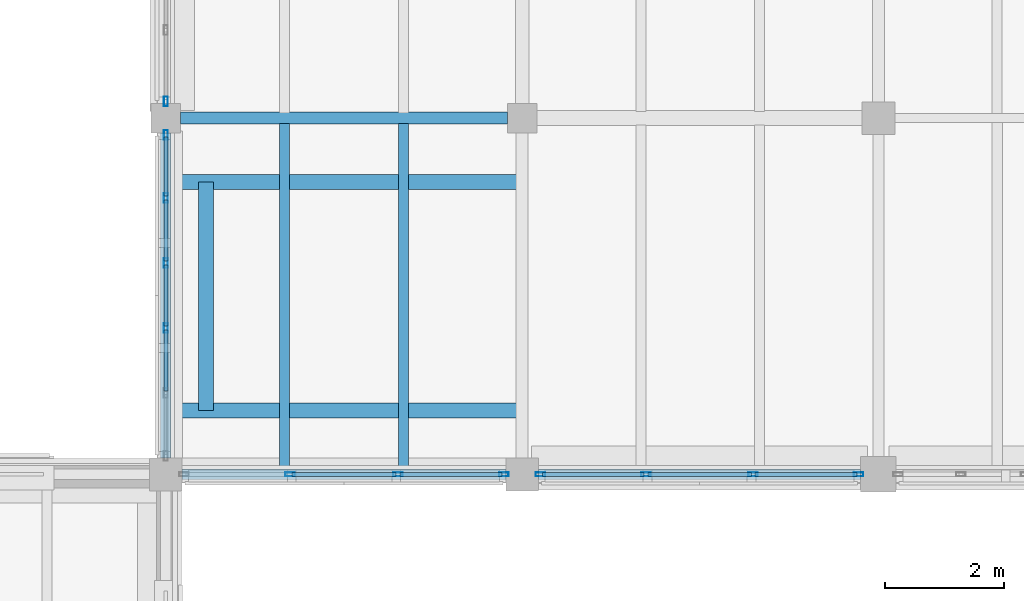
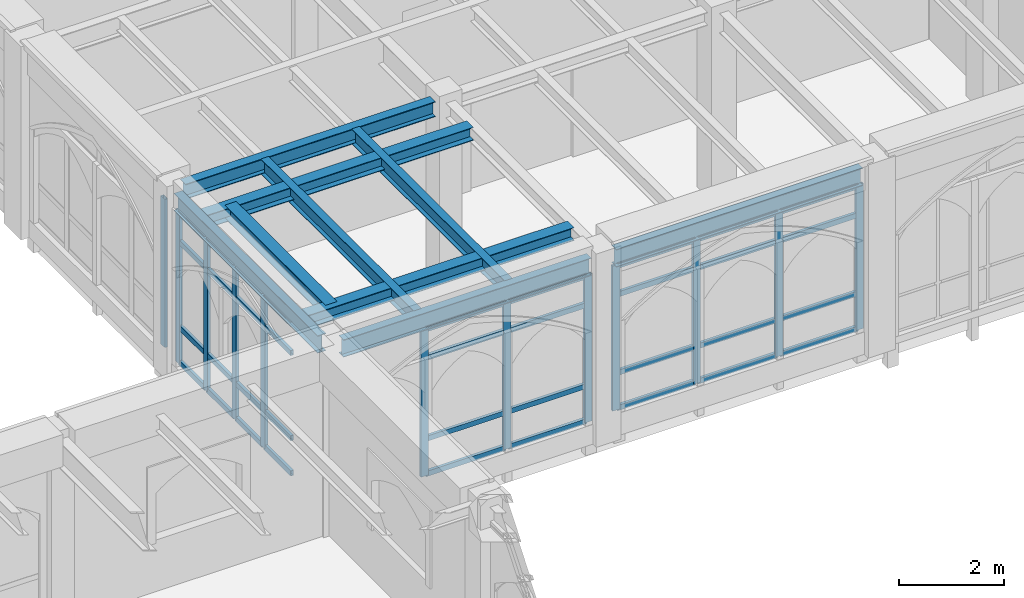
# One storey, part 21 of 143: 48 members, 9 beams, 4 elements without a shape of their own.
"""IFC4 building model written with IfcOpenShell, lengths in metres."""

from ifc_helpers import new_model, si_unit, direction, frame, origin, origin_2d, place, context, subcontext, project, spatial, hollow_rectangle, i_section, extrude, material, layer, layer_set, material_profile, profile_set, type_object, element, aggregate, save


model = new_model("IFC4")

# Units and contexts
model_context = context("Model", 3, precision=1e-05, world=origin(), true_north=direction((0.0, 1.0)))
body_context = subcontext(model_context, "Body", "Model", "MODEL_VIEW")
ifc_project = project(units=[si_unit("LENGTHUNIT", "METRE"), si_unit("AREAUNIT", "SQUARE_METRE"), si_unit("VOLUMEUNIT", "CUBIC_METRE"), si_unit("PLANEANGLEUNIT", "RADIAN"), si_unit("MASSUNIT", "GRAM", prefix="KILO")], contexts=[model_context])

# Site, building, storey
site_placement = place(None, origin())
site = spatial("IfcSite", under=ifc_project, at=site_placement, CompositionType="ELEMENT")
building_placement = place(site_placement, origin())
building = spatial("IfcBuilding", under=site, at=building_placement, Name="Cumevento Cable Car Station", CompositionType="ELEMENT")
storey_placement = place(building_placement, frame((0.0, 0.0, 9.0)))
storey = spatial("IfcBuildingStorey", under=building, at=storey_placement, Name="L03", CompositionType="ELEMENT", Elevation=9.0)

# Curtain wall, members
ifc_material_1 = material(Name="Anodised Bronze Aluminium AW-6063-T6", Category="aluminium")
ifc_layer_1 = layer(ifc_material_1, 0.243896484375)
ifc_layer_set_1 = layer_set([ifc_layer_1], Name="Anodised Bronze Aluminium AW-6063-T6")
curtain_wall_type_1 = type_object("IfcCurtainWallType", Name="Lancet Curtain Wall CW-15 1610", PredefinedType="NOTDEFINED", material=ifc_layer_set_1)
curtain_wall_1_placement = place(storey_placement, origin())
curtain_wall_1 = element("IfcCurtainWall", 1, at=curtain_wall_1_placement, inside=storey, type_object=curtain_wall_type_1, Name="Lancet Curtain Wall CW-15 L03 #94", PredefinedType="NOTDEFINED")
ifc_material_2 = material(Name="Anodised Bronze Aluminium AW-6063-T6", Category="aluminium")
ifc_material_profile_1 = material_profile(ifc_material_2, hollow_rectangle(XDim=0.06494140625, YDim=0.159912109375, WallThickness=0.00390625, at=origin_2d()), Name="ALUM65x160x4")
ifc_profile_set_1 = profile_set([ifc_material_profile_1], Name="Anodised Bronze Aluminium AW-6063-T6")
member_type_1 = type_object("IfcMemberType", Name="Curtain Mullion CWM-01 ALUM65x160x4", PredefinedType="MULLION", material=ifc_profile_set_1)
member_1_placement = place(storey_placement, frame((27.6923828125, 45.0, 0.4599609375), z_axis=(0.0, 0.0, 1.0), x_axis=(0.0, -1.0, 0.0)))
member_1 = element("IfcMember", 2, at=member_1_placement, type_object=member_type_1, Name="CW-15 mullion 1", PredefinedType="MULLION", context=body_context, shape_type="SweptSolid", body=[
    extrude(hollow_rectangle(XDim=0.06494140625, YDim=0.159912109375, WallThickness=0.00390625, at=origin_2d()), origin(), (0.0, 0.0, 1.0), 3.43310546875),
])
member_2_placement = place(storey_placement, frame((25.908447265625, 45.0, 0.4599609375), z_axis=(0.0, 0.0, 1.0), x_axis=(0.0, -1.0, 0.0)))
member_2 = element("IfcMember", 3, at=member_2_placement, type_object=member_type_1, Name="CW-15 mullion 2", PredefinedType="MULLION", context=body_context, shape_type="SweptSolid", body=[
    extrude(hollow_rectangle(XDim=0.06494140625, YDim=0.159912109375, WallThickness=0.00390625, at=origin_2d()), origin(), (0.0, 0.0, 1.0), 3.43310546875),
])
member_3_placement = place(storey_placement, frame((24.091552734375, 45.0, 0.4599609375), z_axis=(0.0, 0.0, 1.0), x_axis=(0.0, -1.0, 0.0)))
member_3 = element("IfcMember", 4, at=member_3_placement, type_object=member_type_1, Name="CW-15 mullion 3", PredefinedType="MULLION", context=body_context, shape_type="SweptSolid", body=[
    extrude(hollow_rectangle(XDim=0.06494140625, YDim=0.159912109375, WallThickness=0.00390625, at=origin_2d()), origin(), (0.0, 0.0, 1.0), 3.43310546875),
])

ifc_material_3 = material(Name="Anodised Bronze Aluminium AW-6063-T6", Category="aluminium")
ifc_layer_2 = layer(ifc_material_3, 0.25)
ifc_layer_set_2 = layer_set([ifc_layer_2], Name="Anodised Bronze Aluminium AW-6063-T6")
curtain_wall_type_2 = type_object("IfcCurtainWallType", Name="Lancet Curtain Wall CW-16 1650", PredefinedType="NOTDEFINED", material=ifc_layer_set_2)
curtain_wall_2_placement = place(storey_placement, origin())
curtain_wall_2 = element("IfcCurtainWall", 5, at=curtain_wall_2_placement, inside=storey, type_object=curtain_wall_type_2, Name="Lancet Curtain Wall CW-16 L03 #95", PredefinedType="NOTDEFINED")
member_4_placement = place(storey_placement, frame((33.66748046875, 45.0, 0.52001953125), z_axis=(0.0, 0.0, 1.0), x_axis=(0.0, -1.0, 0.0)))
member_4 = element("IfcMember", 6, at=member_4_placement, type_object=member_type_1, Name="CW-16 mullion 1", PredefinedType="MULLION", context=body_context, shape_type="SweptSolid", body=[
    extrude(hollow_rectangle(XDim=0.06494140625, YDim=0.159912109375, WallThickness=0.00390625, at=origin_2d()), origin(), (0.0, 0.0, 1.0), 3.373046875),
])
member_5_placement = place(storey_placement, frame((31.8916015625, 45.0, 0.52001953125), z_axis=(0.0, 0.0, 1.0), x_axis=(0.0, -1.0, 0.0)))
member_5 = element("IfcMember", 7, at=member_5_placement, type_object=member_type_1, Name="CW-16 mullion 2", PredefinedType="MULLION", context=body_context, shape_type="SweptSolid", body=[
    extrude(hollow_rectangle(XDim=0.06494140625, YDim=0.159912109375, WallThickness=0.00390625, at=origin_2d()), origin(), (0.0, 0.0, 1.0), 3.373046875),
])
member_6_placement = place(storey_placement, frame((30.083251953125, 45.0, 0.52001953125), z_axis=(0.0, 0.0, 1.0), x_axis=(0.0, -1.0, 0.0)))
member_6 = element("IfcMember", 8, at=member_6_placement, type_object=member_type_1, Name="CW-16 mullion 3", PredefinedType="MULLION", context=body_context, shape_type="SweptSolid", body=[
    extrude(hollow_rectangle(XDim=0.06494140625, YDim=0.159912109375, WallThickness=0.00390625, at=origin_2d()), origin(), (0.0, 0.0, 1.0), 3.373046875),
])
member_7_placement = place(storey_placement, frame((28.3076171875, 45.0, 0.52001953125), z_axis=(0.0, 0.0, 1.0), x_axis=(0.0, -1.0, 0.0)))
member_7 = element("IfcMember", 9, at=member_7_placement, type_object=member_type_1, Name="CW-16 mullion 4", PredefinedType="MULLION", context=body_context, shape_type="SweptSolid", body=[
    extrude(hollow_rectangle(XDim=0.06494140625, YDim=0.159912109375, WallThickness=0.00390625, at=origin_2d()), origin(), (0.0, 0.0, 1.0), 3.373046875),
])

ifc_material_4 = material(Name="Anodised Bronze Aluminium AW-6063-T6", Category="aluminium")
ifc_layer_3 = layer(ifc_material_4, 0.18408203125)
ifc_layer_set_3 = layer_set([ifc_layer_3], Name="Anodised Bronze Aluminium AW-6063-T6")
curtain_wall_type_3 = type_object("IfcCurtainWallType", Name="Lancet Curtain Wall CW-05 1210", PredefinedType="NOTDEFINED", material=ifc_layer_set_3)
curtain_wall_3_placement = place(storey_placement, origin())
curtain_wall_3 = element("IfcCurtainWall", 10, at=curtain_wall_3_placement, inside=storey, type_object=curtain_wall_type_3, Name="Lancet Curtain Wall CW-05 L03 #100", PredefinedType="NOTDEFINED")
member_8_placement = place(storey_placement, frame((22.0, 47.465087890625, 0.360107421875), z_axis=(0.0, 0.0, 1.0), x_axis=(-1.0, 0.0, 0.0)))
member_8 = element("IfcMember", 11, at=member_8_placement, type_object=member_type_1, Name="CW-05 mullion 3", PredefinedType="MULLION", context=body_context, shape_type="SweptSolid", body=[
    extrude(hollow_rectangle(XDim=0.06494140625, YDim=0.159912109375, WallThickness=0.00390625, at=origin_2d()), origin(), (0.0, 0.0, 1.0), 3.532958984375),
])
member_9_placement = place(storey_placement, frame((22.0, 48.56005859375, 0.360107421875), z_axis=(0.0, 0.0, 1.0), x_axis=(-1.0, 0.0, 0.0)))
member_9 = element("IfcMember", 12, at=member_9_placement, type_object=member_type_1, Name="CW-05 mullion 4", PredefinedType="MULLION", context=body_context, shape_type="SweptSolid", body=[
    extrude(hollow_rectangle(XDim=0.06494140625, YDim=0.159912109375, WallThickness=0.00390625, at=origin_2d()), origin(), (0.0, 0.0, 1.0), 3.532958984375),
])
member_10_placement = place(storey_placement, frame((22.0, 49.655029296875, 0.360107421875), z_axis=(0.0, 0.0, 1.0), x_axis=(-1.0, 0.0, 0.0)))
member_10 = element("IfcMember", 13, at=member_10_placement, type_object=member_type_1, Name="CW-05 mullion 5", PredefinedType="MULLION", context=body_context, shape_type="SweptSolid", body=[
    extrude(hollow_rectangle(XDim=0.06494140625, YDim=0.159912109375, WallThickness=0.00390625, at=origin_2d()), origin(), (0.0, 0.0, 1.0), 3.532958984375),
])
member_11_placement = place(storey_placement, frame((22.0, 50.717529296875, 0.360107421875), z_axis=(0.0, 0.0, 1.0), x_axis=(-1.0, 0.0, 0.0)))
member_11 = element("IfcMember", 14, at=member_11_placement, type_object=member_type_1, Name="CW-05 mullion 6", PredefinedType="MULLION", context=body_context, shape_type="SweptSolid", body=[
    extrude(hollow_rectangle(XDim=0.06494140625, YDim=0.159912109375, WallThickness=0.00390625, at=origin_2d()), origin(), (0.0, 0.0, 1.0), 3.532958984375),
])

# Curtain wall, member
ifc_material_5 = material(Name="Anodised Bronze Aluminium AW-6063-T6", Category="aluminium")
ifc_layer_4 = layer(ifc_material_5, 0.18994140625)
ifc_layer_set_4 = layer_set([ifc_layer_4], Name="Anodised Bronze Aluminium AW-6063-T6")
curtain_wall_type_4 = type_object("IfcCurtainWallType", Name="Lancet Curtain Wall CW-06 1250", PredefinedType="NOTDEFINED", material=ifc_layer_set_4)
curtain_wall_4_placement = place(storey_placement, origin())
curtain_wall_4 = element("IfcCurtainWall", 15, at=curtain_wall_4_placement, inside=storey, type_object=curtain_wall_type_4, Name="Lancet Curtain Wall CW-06 L03 #101", PredefinedType="NOTDEFINED")
member_12_placement = place(storey_placement, frame((22.0, 51.282470703125, 0.409912109375), z_axis=(0.0, 0.0, 1.0), x_axis=(-1.0, 0.0, 0.0)))
member_12 = element("IfcMember", 16, at=member_12_placement, type_object=member_type_1, Name="CW-06 mullion 1", PredefinedType="MULLION", context=body_context, shape_type="SweptSolid", body=[
    extrude(hollow_rectangle(XDim=0.06494140625, YDim=0.159912109375, WallThickness=0.00390625, at=origin_2d()), origin(), (0.0, 0.0, 1.0), 3.447021484375),
])
aggregate(curtain_wall_4, [member_12])

# Member
ifc_material_6 = material(Name="Anodised Bronze Aluminium AW-6063-T6", Category="aluminium")
ifc_material_profile_2 = material_profile(ifc_material_6, hollow_rectangle(XDim=0.06494140625, YDim=0.1201171875, WallThickness=0.00390625, at=origin_2d()), Name="ALUT65x120x4")
ifc_profile_set_2 = profile_set([ifc_material_profile_2], Name="Anodised Bronze Aluminium AW-6063-T6")
member_type_2 = type_object("IfcMemberType", Name="Curtain Transom CWT-01 ALUT65x120x4", PredefinedType="USERDEFINED", material=ifc_profile_set_2)
member_13_placement = place(storey_placement, frame((27.659912109375, 45.0, 0.492431640625), z_axis=(-1.0, 0.0, 0.0), x_axis=(0.0, -1.0, 0.0)))
member_13 = element("IfcMember", 17, at=member_13_placement, type_object=member_type_2, Name="CW-15 transom 1.1", ObjectType="TRANSOM", PredefinedType="USERDEFINED", context=body_context, shape_type="SweptSolid", body=[
    extrude(hollow_rectangle(XDim=0.06494140625, YDim=0.1201171875, WallThickness=0.00390625, at=origin_2d()), origin(), (0.0, 0.0, 1.0), 1.718994140625),
])

member_14_placement = place(storey_placement, frame((27.659912109375, 45.0, 1.31005859375), z_axis=(-1.0, 0.0, 0.0), x_axis=(0.0, -1.0, 0.0)))
member_14 = element("IfcMember", 18, at=member_14_placement, type_object=member_type_2, Name="CW-15 transom 1.2", ObjectType="TRANSOM", PredefinedType="USERDEFINED", context=body_context, shape_type="SweptSolid", body=[
    extrude(hollow_rectangle(XDim=0.06494140625, YDim=0.1201171875, WallThickness=0.00390625, at=origin_2d()), origin(), (0.0, 0.0, 1.0), 1.718994140625),
])

member_15_placement = place(storey_placement, frame((27.659912109375, 45.0, 3.193115234375), z_axis=(-1.0, 0.0, 0.0), x_axis=(0.0, -1.0, 0.0)))
member_15 = element("IfcMember", 19, at=member_15_placement, type_object=member_type_2, Name="CW-15 transom 1.3", ObjectType="TRANSOM", PredefinedType="USERDEFINED", context=body_context, shape_type="SweptSolid", body=[
    extrude(hollow_rectangle(XDim=0.06494140625, YDim=0.1201171875, WallThickness=0.00390625, at=origin_2d()), origin(), (0.0, 0.0, 1.0), 1.718994140625),
])

member_16_placement = place(storey_placement, frame((27.659912109375, 45.0, 3.860595703125), z_axis=(-1.0, 0.0, 0.0), x_axis=(0.0, -1.0, 0.0)))
member_16 = element("IfcMember", 20, at=member_16_placement, type_object=member_type_2, Name="CW-15 transom 1.4", ObjectType="TRANSOM", PredefinedType="USERDEFINED", context=body_context, shape_type="SweptSolid", body=[
    extrude(hollow_rectangle(XDim=0.06494140625, YDim=0.1201171875, WallThickness=0.00390625, at=origin_2d()), origin(), (0.0, 0.0, 1.0), 1.718994140625),
])

member_17_placement = place(storey_placement, frame((25.875732421875, 45.0, 0.492431640625), z_axis=(-1.0, 0.0, 0.0), x_axis=(0.0, -1.0, 0.0)))
member_17 = element("IfcMember", 21, at=member_17_placement, type_object=member_type_2, Name="CW-15 transom 2.1", ObjectType="TRANSOM", PredefinedType="USERDEFINED", context=body_context, shape_type="SweptSolid", body=[
    extrude(hollow_rectangle(XDim=0.06494140625, YDim=0.1201171875, WallThickness=0.00390625, at=origin_2d()), origin(), (0.0, 0.0, 1.0), 1.75146484375),
])

member_18_placement = place(storey_placement, frame((25.875732421875, 45.0, 1.31005859375), z_axis=(-1.0, 0.0, 0.0), x_axis=(0.0, -1.0, 0.0)))
member_18 = element("IfcMember", 22, at=member_18_placement, type_object=member_type_2, Name="CW-15 transom 2.2", ObjectType="TRANSOM", PredefinedType="USERDEFINED", context=body_context, shape_type="SweptSolid", body=[
    extrude(hollow_rectangle(XDim=0.06494140625, YDim=0.1201171875, WallThickness=0.00390625, at=origin_2d()), origin(), (0.0, 0.0, 1.0), 1.75146484375),
])

member_19_placement = place(storey_placement, frame((25.875732421875, 45.0, 3.193115234375), z_axis=(-1.0, 0.0, 0.0), x_axis=(0.0, -1.0, 0.0)))
member_19 = element("IfcMember", 23, at=member_19_placement, type_object=member_type_2, Name="CW-15 transom 2.3", ObjectType="TRANSOM", PredefinedType="USERDEFINED", context=body_context, shape_type="SweptSolid", body=[
    extrude(hollow_rectangle(XDim=0.06494140625, YDim=0.1201171875, WallThickness=0.00390625, at=origin_2d()), origin(), (0.0, 0.0, 1.0), 1.75146484375),
])

member_20_placement = place(storey_placement, frame((25.875732421875, 45.0, 3.860595703125), z_axis=(-1.0, 0.0, 0.0), x_axis=(0.0, -1.0, 0.0)))
member_20 = element("IfcMember", 24, at=member_20_placement, type_object=member_type_2, Name="CW-15 transom 2.4", ObjectType="TRANSOM", PredefinedType="USERDEFINED", context=body_context, shape_type="SweptSolid", body=[
    extrude(hollow_rectangle(XDim=0.06494140625, YDim=0.1201171875, WallThickness=0.00390625, at=origin_2d()), origin(), (0.0, 0.0, 1.0), 1.75146484375),
])

aggregate(curtain_wall_1, [member_1, member_2, member_3, member_13, member_14, member_15, member_16, member_17, member_18, member_19, member_20])

member_21_placement = place(storey_placement, frame((33.635009765625, 45.0, 0.552490234375), z_axis=(-1.0, 0.0, 0.0), x_axis=(0.0, -1.0, 0.0)))
member_21 = element("IfcMember", 25, at=member_21_placement, type_object=member_type_2, Name="CW-16 transom 1.1", ObjectType="TRANSOM", PredefinedType="USERDEFINED", context=body_context, shape_type="SweptSolid", body=[
    extrude(hollow_rectangle(XDim=0.06494140625, YDim=0.1201171875, WallThickness=0.00390625, at=origin_2d()), origin(), (0.0, 0.0, 1.0), 1.7109375),
])

member_22_placement = place(storey_placement, frame((33.635009765625, 45.0, 1.3701171875), z_axis=(-1.0, 0.0, 0.0), x_axis=(0.0, -1.0, 0.0)))
member_22 = element("IfcMember", 26, at=member_22_placement, type_object=member_type_2, Name="CW-16 transom 1.2", ObjectType="TRANSOM", PredefinedType="USERDEFINED", context=body_context, shape_type="SweptSolid", body=[
    extrude(hollow_rectangle(XDim=0.06494140625, YDim=0.1201171875, WallThickness=0.00390625, at=origin_2d()), origin(), (0.0, 0.0, 1.0), 1.7109375),
])

member_23_placement = place(storey_placement, frame((33.635009765625, 45.0, 3.193115234375), z_axis=(-1.0, 0.0, 0.0), x_axis=(0.0, -1.0, 0.0)))
member_23 = element("IfcMember", 27, at=member_23_placement, type_object=member_type_2, Name="CW-16 transom 1.3", ObjectType="TRANSOM", PredefinedType="USERDEFINED", context=body_context, shape_type="SweptSolid", body=[
    extrude(hollow_rectangle(XDim=0.06494140625, YDim=0.1201171875, WallThickness=0.00390625, at=origin_2d()), origin(), (0.0, 0.0, 1.0), 1.7109375),
])

member_24_placement = place(storey_placement, frame((33.635009765625, 45.0, 3.860595703125), z_axis=(-1.0, 0.0, 0.0), x_axis=(0.0, -1.0, 0.0)))
member_24 = element("IfcMember", 28, at=member_24_placement, type_object=member_type_2, Name="CW-16 transom 1.4", ObjectType="TRANSOM", PredefinedType="USERDEFINED", context=body_context, shape_type="SweptSolid", body=[
    extrude(hollow_rectangle(XDim=0.06494140625, YDim=0.1201171875, WallThickness=0.00390625, at=origin_2d()), origin(), (0.0, 0.0, 1.0), 1.7109375),
])

member_25_placement = place(storey_placement, frame((31.859130859375, 45.0, 0.552490234375), z_axis=(-1.0, 0.0, 0.0), x_axis=(0.0, -1.0, 0.0)))
member_25 = element("IfcMember", 29, at=member_25_placement, type_object=member_type_2, Name="CW-16 transom 2.1", ObjectType="TRANSOM", PredefinedType="USERDEFINED", context=body_context, shape_type="SweptSolid", body=[
    extrude(hollow_rectangle(XDim=0.06494140625, YDim=0.1201171875, WallThickness=0.00390625, at=origin_2d()), origin(), (0.0, 0.0, 1.0), 1.743408203125),
])

member_26_placement = place(storey_placement, frame((31.859130859375, 45.0, 1.3701171875), z_axis=(-1.0, 0.0, 0.0), x_axis=(0.0, -1.0, 0.0)))
member_26 = element("IfcMember", 30, at=member_26_placement, type_object=member_type_2, Name="CW-16 transom 2.2", ObjectType="TRANSOM", PredefinedType="USERDEFINED", context=body_context, shape_type="SweptSolid", body=[
    extrude(hollow_rectangle(XDim=0.06494140625, YDim=0.1201171875, WallThickness=0.00390625, at=origin_2d()), origin(), (0.0, 0.0, 1.0), 1.743408203125),
])

member_27_placement = place(storey_placement, frame((31.859130859375, 45.0, 3.193115234375), z_axis=(-1.0, 0.0, 0.0), x_axis=(0.0, -1.0, 0.0)))
member_27 = element("IfcMember", 31, at=member_27_placement, type_object=member_type_2, Name="CW-16 transom 2.3", ObjectType="TRANSOM", PredefinedType="USERDEFINED", context=body_context, shape_type="SweptSolid", body=[
    extrude(hollow_rectangle(XDim=0.06494140625, YDim=0.1201171875, WallThickness=0.00390625, at=origin_2d()), origin(), (0.0, 0.0, 1.0), 1.743408203125),
])

member_28_placement = place(storey_placement, frame((31.859130859375, 45.0, 3.860595703125), z_axis=(-1.0, 0.0, 0.0), x_axis=(0.0, -1.0, 0.0)))
member_28 = element("IfcMember", 32, at=member_28_placement, type_object=member_type_2, Name="CW-16 transom 2.4", ObjectType="TRANSOM", PredefinedType="USERDEFINED", context=body_context, shape_type="SweptSolid", body=[
    extrude(hollow_rectangle(XDim=0.06494140625, YDim=0.1201171875, WallThickness=0.00390625, at=origin_2d()), origin(), (0.0, 0.0, 1.0), 1.743408203125),
])

member_29_placement = place(storey_placement, frame((30.05078125, 45.0, 0.552490234375), z_axis=(-1.0, 0.0, 0.0), x_axis=(0.0, -1.0, 0.0)))
member_29 = element("IfcMember", 33, at=member_29_placement, type_object=member_type_2, Name="CW-16 transom 3.1", ObjectType="TRANSOM", PredefinedType="USERDEFINED", context=body_context, shape_type="SweptSolid", body=[
    extrude(hollow_rectangle(XDim=0.06494140625, YDim=0.1201171875, WallThickness=0.00390625, at=origin_2d()), origin(), (0.0, 0.0, 1.0), 1.710693359375),
])

member_30_placement = place(storey_placement, frame((30.05078125, 45.0, 1.3701171875), z_axis=(-1.0, 0.0, 0.0), x_axis=(0.0, -1.0, 0.0)))
member_30 = element("IfcMember", 34, at=member_30_placement, type_object=member_type_2, Name="CW-16 transom 3.2", ObjectType="TRANSOM", PredefinedType="USERDEFINED", context=body_context, shape_type="SweptSolid", body=[
    extrude(hollow_rectangle(XDim=0.06494140625, YDim=0.1201171875, WallThickness=0.00390625, at=origin_2d()), origin(), (0.0, 0.0, 1.0), 1.710693359375),
])

member_31_placement = place(storey_placement, frame((30.05078125, 45.0, 3.193115234375), z_axis=(-1.0, 0.0, 0.0), x_axis=(0.0, -1.0, 0.0)))
member_31 = element("IfcMember", 35, at=member_31_placement, type_object=member_type_2, Name="CW-16 transom 3.3", ObjectType="TRANSOM", PredefinedType="USERDEFINED", context=body_context, shape_type="SweptSolid", body=[
    extrude(hollow_rectangle(XDim=0.06494140625, YDim=0.1201171875, WallThickness=0.00390625, at=origin_2d()), origin(), (0.0, 0.0, 1.0), 1.710693359375),
])

member_32_placement = place(storey_placement, frame((30.05078125, 45.0, 3.860595703125), z_axis=(-1.0, 0.0, 0.0), x_axis=(0.0, -1.0, 0.0)))
member_32 = element("IfcMember", 36, at=member_32_placement, type_object=member_type_2, Name="CW-16 transom 3.4", ObjectType="TRANSOM", PredefinedType="USERDEFINED", context=body_context, shape_type="SweptSolid", body=[
    extrude(hollow_rectangle(XDim=0.06494140625, YDim=0.1201171875, WallThickness=0.00390625, at=origin_2d()), origin(), (0.0, 0.0, 1.0), 1.710693359375),
])

aggregate(curtain_wall_2, [member_4, member_5, member_6, member_7, member_21, member_22, member_23, member_24, member_25, member_26, member_27, member_28, member_29, member_30, member_31, member_32])

member_33_placement = place(storey_placement, frame((22.0, 46.402587890625, 0.392578125), z_axis=(0.0, 1.0, 0.0), x_axis=(-1.0, 0.0, 0.0)))
member_33 = element("IfcMember", 37, at=member_33_placement, type_object=member_type_2, Name="CW-05 transom 2.1", ObjectType="TRANSOM", PredefinedType="USERDEFINED", context=body_context, shape_type="SweptSolid", body=[
    extrude(hollow_rectangle(XDim=0.06494140625, YDim=0.1201171875, WallThickness=0.00390625, at=origin_2d()), origin(), (0.0, 0.0, 1.0), 1.030029296875),
])

member_34_placement = place(storey_placement, frame((22.0, 46.402587890625, 1.2099609375), z_axis=(0.0, 1.0, 0.0), x_axis=(-1.0, 0.0, 0.0)))
member_34 = element("IfcMember", 38, at=member_34_placement, type_object=member_type_2, Name="CW-05 transom 2.2", ObjectType="TRANSOM", PredefinedType="USERDEFINED", context=body_context, shape_type="SweptSolid", body=[
    extrude(hollow_rectangle(XDim=0.06494140625, YDim=0.1201171875, WallThickness=0.00390625, at=origin_2d()), origin(), (0.0, 0.0, 1.0), 1.030029296875),
])

member_35_placement = place(storey_placement, frame((22.0, 46.402587890625, 3.193115234375), z_axis=(0.0, 1.0, 0.0), x_axis=(-1.0, 0.0, 0.0)))
member_35 = element("IfcMember", 39, at=member_35_placement, type_object=member_type_2, Name="CW-05 transom 2.3", ObjectType="TRANSOM", PredefinedType="USERDEFINED", context=body_context, shape_type="SweptSolid", body=[
    extrude(hollow_rectangle(XDim=0.06494140625, YDim=0.1201171875, WallThickness=0.00390625, at=origin_2d()), origin(), (0.0, 0.0, 1.0), 1.030029296875),
])

member_36_placement = place(storey_placement, frame((22.0, 46.402587890625, 3.860595703125), z_axis=(0.0, 1.0, 0.0), x_axis=(-1.0, 0.0, 0.0)))
member_36 = element("IfcMember", 40, at=member_36_placement, type_object=member_type_2, Name="CW-05 transom 2.4", ObjectType="TRANSOM", PredefinedType="USERDEFINED", context=body_context, shape_type="SweptSolid", body=[
    extrude(hollow_rectangle(XDim=0.06494140625, YDim=0.1201171875, WallThickness=0.00390625, at=origin_2d()), origin(), (0.0, 0.0, 1.0), 1.030029296875),
])

member_37_placement = place(storey_placement, frame((22.0, 47.49755859375, 0.392578125), z_axis=(0.0, 1.0, 0.0), x_axis=(-1.0, 0.0, 0.0)))
member_37 = element("IfcMember", 41, at=member_37_placement, type_object=member_type_2, Name="CW-05 transom 3.1", ObjectType="TRANSOM", PredefinedType="USERDEFINED", context=body_context, shape_type="SweptSolid", body=[
    extrude(hollow_rectangle(XDim=0.06494140625, YDim=0.1201171875, WallThickness=0.00390625, at=origin_2d()), origin(), (0.0, 0.0, 1.0), 1.030029296875),
])

member_38_placement = place(storey_placement, frame((22.0, 47.49755859375, 1.2099609375), z_axis=(0.0, 1.0, 0.0), x_axis=(-1.0, 0.0, 0.0)))
member_38 = element("IfcMember", 42, at=member_38_placement, type_object=member_type_2, Name="CW-05 transom 3.2", ObjectType="TRANSOM", PredefinedType="USERDEFINED", context=body_context, shape_type="SweptSolid", body=[
    extrude(hollow_rectangle(XDim=0.06494140625, YDim=0.1201171875, WallThickness=0.00390625, at=origin_2d()), origin(), (0.0, 0.0, 1.0), 1.030029296875),
])

member_39_placement = place(storey_placement, frame((22.0, 47.49755859375, 3.193115234375), z_axis=(0.0, 1.0, 0.0), x_axis=(-1.0, 0.0, 0.0)))
member_39 = element("IfcMember", 43, at=member_39_placement, type_object=member_type_2, Name="CW-05 transom 3.3", ObjectType="TRANSOM", PredefinedType="USERDEFINED", context=body_context, shape_type="SweptSolid", body=[
    extrude(hollow_rectangle(XDim=0.06494140625, YDim=0.1201171875, WallThickness=0.00390625, at=origin_2d()), origin(), (0.0, 0.0, 1.0), 1.030029296875),
])

member_40_placement = place(storey_placement, frame((22.0, 47.49755859375, 3.860595703125), z_axis=(0.0, 1.0, 0.0), x_axis=(-1.0, 0.0, 0.0)))
member_40 = element("IfcMember", 44, at=member_40_placement, type_object=member_type_2, Name="CW-05 transom 3.4", ObjectType="TRANSOM", PredefinedType="USERDEFINED", context=body_context, shape_type="SweptSolid", body=[
    extrude(hollow_rectangle(XDim=0.06494140625, YDim=0.1201171875, WallThickness=0.00390625, at=origin_2d()), origin(), (0.0, 0.0, 1.0), 1.030029296875),
])

member_41_placement = place(storey_placement, frame((22.0, 48.592529296875, 0.392578125), z_axis=(0.0, 1.0, 0.0), x_axis=(-1.0, 0.0, 0.0)))
member_41 = element("IfcMember", 45, at=member_41_placement, type_object=member_type_2, Name="CW-05 transom 4.1", ObjectType="TRANSOM", PredefinedType="USERDEFINED", context=body_context, shape_type="SweptSolid", body=[
    extrude(hollow_rectangle(XDim=0.06494140625, YDim=0.1201171875, WallThickness=0.00390625, at=origin_2d()), origin(), (0.0, 0.0, 1.0), 1.030029296875),
])

member_42_placement = place(storey_placement, frame((22.0, 48.592529296875, 1.2099609375), z_axis=(0.0, 1.0, 0.0), x_axis=(-1.0, 0.0, 0.0)))
member_42 = element("IfcMember", 46, at=member_42_placement, type_object=member_type_2, Name="CW-05 transom 4.2", ObjectType="TRANSOM", PredefinedType="USERDEFINED", context=body_context, shape_type="SweptSolid", body=[
    extrude(hollow_rectangle(XDim=0.06494140625, YDim=0.1201171875, WallThickness=0.00390625, at=origin_2d()), origin(), (0.0, 0.0, 1.0), 1.030029296875),
])

member_43_placement = place(storey_placement, frame((22.0, 48.592529296875, 3.193115234375), z_axis=(0.0, 1.0, 0.0), x_axis=(-1.0, 0.0, 0.0)))
member_43 = element("IfcMember", 47, at=member_43_placement, type_object=member_type_2, Name="CW-05 transom 4.3", ObjectType="TRANSOM", PredefinedType="USERDEFINED", context=body_context, shape_type="SweptSolid", body=[
    extrude(hollow_rectangle(XDim=0.06494140625, YDim=0.1201171875, WallThickness=0.00390625, at=origin_2d()), origin(), (0.0, 0.0, 1.0), 1.030029296875),
])

member_44_placement = place(storey_placement, frame((22.0, 48.592529296875, 3.860595703125), z_axis=(0.0, 1.0, 0.0), x_axis=(-1.0, 0.0, 0.0)))
member_44 = element("IfcMember", 48, at=member_44_placement, type_object=member_type_2, Name="CW-05 transom 4.4", ObjectType="TRANSOM", PredefinedType="USERDEFINED", context=body_context, shape_type="SweptSolid", body=[
    extrude(hollow_rectangle(XDim=0.06494140625, YDim=0.1201171875, WallThickness=0.00390625, at=origin_2d()), origin(), (0.0, 0.0, 1.0), 1.030029296875),
])

member_45_placement = place(storey_placement, frame((22.0, 49.6875, 0.392578125), z_axis=(0.0, 1.0, 0.0), x_axis=(-1.0, 0.0, 0.0)))
member_45 = element("IfcMember", 49, at=member_45_placement, type_object=member_type_2, Name="CW-05 transom 5.1", ObjectType="TRANSOM", PredefinedType="USERDEFINED", context=body_context, shape_type="SweptSolid", body=[
    extrude(hollow_rectangle(XDim=0.06494140625, YDim=0.1201171875, WallThickness=0.00390625, at=origin_2d()), origin(), (0.0, 0.0, 1.0), 0.99755859375),
])

member_46_placement = place(storey_placement, frame((22.0, 49.6875, 1.2099609375), z_axis=(0.0, 1.0, 0.0), x_axis=(-1.0, 0.0, 0.0)))
member_46 = element("IfcMember", 50, at=member_46_placement, type_object=member_type_2, Name="CW-05 transom 5.2", ObjectType="TRANSOM", PredefinedType="USERDEFINED", context=body_context, shape_type="SweptSolid", body=[
    extrude(hollow_rectangle(XDim=0.06494140625, YDim=0.1201171875, WallThickness=0.00390625, at=origin_2d()), origin(), (0.0, 0.0, 1.0), 0.99755859375),
])

member_47_placement = place(storey_placement, frame((22.0, 49.6875, 3.193115234375), z_axis=(0.0, 1.0, 0.0), x_axis=(-1.0, 0.0, 0.0)))
member_47 = element("IfcMember", 51, at=member_47_placement, type_object=member_type_2, Name="CW-05 transom 5.3", ObjectType="TRANSOM", PredefinedType="USERDEFINED", context=body_context, shape_type="SweptSolid", body=[
    extrude(hollow_rectangle(XDim=0.06494140625, YDim=0.1201171875, WallThickness=0.00390625, at=origin_2d()), origin(), (0.0, 0.0, 1.0), 0.99755859375),
])

member_48_placement = place(storey_placement, frame((22.0, 49.6875, 3.860595703125), z_axis=(0.0, 1.0, 0.0), x_axis=(-1.0, 0.0, 0.0)))
member_48 = element("IfcMember", 52, at=member_48_placement, type_object=member_type_2, Name="CW-05 transom 5.4", ObjectType="TRANSOM", PredefinedType="USERDEFINED", context=body_context, shape_type="SweptSolid", body=[
    extrude(hollow_rectangle(XDim=0.06494140625, YDim=0.1201171875, WallThickness=0.00390625, at=origin_2d()), origin(), (0.0, 0.0, 1.0), 0.99755859375),
])

aggregate(curtain_wall_3, [member_8, member_9, member_10, member_11, member_33, member_34, member_35, member_36, member_37, member_38, member_39, member_40, member_41, member_42, member_43, member_44, member_45, member_46, member_47, member_48])

# Beams
ifc_material_7 = material(Name="Steel ASTM A572 Grade 50", Category="steel")
ifc_material_profile_3 = material_profile(ifc_material_7, i_section(OverallWidth=0.205078125, OverallDepth=0.35400390625, WebThickness=0.009521484375, FlangeThickness=0.016845703125, at=origin_2d()), Name="W360x79.0")
ifc_profile_set_3 = profile_set([ifc_material_profile_3], Name="Steel ASTM A572 Grade 50")
beam_type_1 = type_object("IfcBeamType", Name="Structural Beam BM-05 W360x79.0", PredefinedType="BEAM", material=ifc_profile_set_3)
beam_1_placement = place(storey_placement, frame((22.25, 51.0, 4.123046875), z_axis=(1.0, 0.0, 0.0), x_axis=(0.0, 1.0, 0.0)))
element("IfcBeam", 53, at=beam_1_placement, inside=storey, type_object=beam_type_1, Name="Beam BM-05 L03 #1026", PredefinedType="BEAM", context=body_context, shape_type="SweptSolid", body=[
    extrude(i_section(OverallWidth=0.205078125, OverallDepth=0.35400390625, WebThickness=0.009521484375, FlangeThickness=0.016845703125, at=origin_2d()), origin(), (0.0, 0.0, 1.0), 5.5),
])
ifc_material_8 = material(Name="Steel ASTM A572 Grade 50", Category="steel")
ifc_material_profile_4 = material_profile(ifc_material_8, i_section(OverallWidth=0.25390625, OverallDepth=0.305908203125, WebThickness=0.0087890625, FlangeThickness=0.0146484375, at=origin_2d()), Name="W310x79.0")
ifc_profile_set_4 = profile_set([ifc_material_profile_4], Name="Steel ASTM A572 Grade 50")
beam_type_2 = type_object("IfcBeamType", Name="Structural Beam BM-06 W310x79.0", PredefinedType="BEAM", material=ifc_profile_set_4)
for number, where, z_axis, x_axis, name in (
    (54, (22.050048828125, 46.076904296875, 4.14697265625), (1.0, 0.0, 0.0), (0.0, 1.0, 0.0), "Stairwell Curb Girder ST-12 #35"),
    (55, (22.050048828125, 49.923095703125, 4.14697265625), (1.0, 0.0, 0.0), (0.0, 1.0, 0.0), "Stairwell Curb Girder ST-12 #36"),
):
    element("IfcBeam", number, at=place(storey_placement, frame(where, z_axis=z_axis, x_axis=x_axis)), inside=storey, type_object=beam_type_2, Name=name, PredefinedType="BEAM", context=body_context, shape_type="SweptSolid", body=[
        extrude(i_section(OverallWidth=0.25390625, OverallDepth=0.305908203125, WebThickness=0.0087890625, FlangeThickness=0.0146484375, at=origin_2d()), origin(), (0.0, 0.0, 1.0), 5.89990234375),
    ])
beam_2_placement = place(storey_placement, frame((22.677001953125, 46.076904296875, 4.14697265625), z_axis=(0.0, 1.0, 0.0), x_axis=(-1.0, 0.0, 0.0)))
element("IfcBeam", 56, at=beam_2_placement, inside=storey, type_object=beam_type_2, Name="Stairwell Cross-Trimmer ST-12 #37", PredefinedType="BEAM", context=body_context, shape_type="SweptSolid", body=[
    extrude(i_section(OverallWidth=0.25390625, OverallDepth=0.305908203125, WebThickness=0.0087890625, FlangeThickness=0.0146484375, at=origin_2d()), origin(), (0.0, 0.0, 1.0), 3.84619140625),
])
ifc_material_9 = material(Name="Steel ASTM A572 Grade 50", Category="steel")
ifc_material_profile_5 = material_profile(ifc_material_9, i_section(OverallWidth=0.1708984375, OverallDepth=0.35498046875, WebThickness=0.007080078125, FlangeThickness=0.01171875, at=origin_2d()), Name="W360x51.0")
ifc_profile_set_5 = profile_set([ifc_material_profile_5], Name="Steel ASTM A572 Grade 50")
beam_type_3 = type_object("IfcBeamType", Name="Structural Joist JS-01 W360x51.0", PredefinedType="JOIST", material=ifc_profile_set_5)
for number, where, z_axis, x_axis, name in (
    (57, (24.0, 45.076904296875, 4.12255859375), (0.0, 1.0, 0.0), (-1.0, 0.0, 0.0), "Composite Floor Joist JS-01 L03 #1218"),
    (58, (26.0, 45.076904296875, 4.12255859375), (0.0, 1.0, 0.0), (-1.0, 0.0, 0.0), "Composite Floor Joist JS-01 L03 #1220"),
):
    element("IfcBeam", number, at=place(storey_placement, frame(where, z_axis=z_axis, x_axis=x_axis)), inside=storey, type_object=beam_type_3, Name=name, PredefinedType="JOIST", context=body_context, shape_type="SweptSolid", body=[
        extrude(i_section(OverallWidth=0.1708984375, OverallDepth=0.35498046875, WebThickness=0.007080078125, FlangeThickness=0.01171875, at=origin_2d()), origin(), (0.0, 0.0, 1.0), 5.83251953125),
    ])
ifc_material_10 = material(Name="Steel ASTM A572 Grade 50", Category="steel")
ifc_material_profile_6 = material_profile(ifc_material_10, i_section(OverallWidth=0.177978515625, OverallDepth=0.406982421875, WebThickness=0.0078125, FlangeThickness=0.0126953125, at=origin_2d()), Name="W410x60.0")
ifc_profile_set_6 = profile_set([ifc_material_profile_6], Name="Steel ASTM A572 Grade 50")
beam_type_4 = type_object("IfcBeamType", Name="Structural Spandrel SP-01 W410x60.0", PredefinedType="SPANDREL", material=ifc_profile_set_6)
beam_3_placement = place(storey_placement, frame((22.27490234375, 45.0, 4.096435546875), z_axis=(1.0, 0.0, 0.0), x_axis=(0.0, 1.0, 0.0)))
element("IfcBeam", 59, at=beam_3_placement, inside=storey, type_object=beam_type_4, Name="Beam SP-01 L03 #1021", PredefinedType="SPANDREL", context=body_context, shape_type="SweptSolid", body=[
    extrude(i_section(OverallWidth=0.177978515625, OverallDepth=0.406982421875, WebThickness=0.0078125, FlangeThickness=0.0126953125, at=origin_2d()), origin(), (0.0, 0.0, 1.0), 5.4501953125),
])
beam_4_placement = place(storey_placement, frame((28.27490234375, 45.0, 4.096435546875), z_axis=(1.0, 0.0, 0.0), x_axis=(0.0, 1.0, 0.0)))
element("IfcBeam", 60, at=beam_4_placement, inside=storey, type_object=beam_type_4, Name="Beam SP-01 L03 #1022", PredefinedType="SPANDREL", context=body_context, shape_type="SweptSolid", body=[
    extrude(i_section(OverallWidth=0.177978515625, OverallDepth=0.406982421875, WebThickness=0.0078125, FlangeThickness=0.0126953125, at=origin_2d()), origin(), (0.0, 0.0, 1.0), 5.425048828125),
])
beam_5_placement = place(storey_placement, frame((22.0, 45.27490234375, 4.096435546875), z_axis=(0.0, 1.0, 0.0), x_axis=(-1.0, 0.0, 0.0)))
element("IfcBeam", 61, at=beam_5_placement, inside=storey, type_object=beam_type_4, Name="Beam SP-01 L03 #1036", PredefinedType="SPANDREL", context=body_context, shape_type="SweptSolid", body=[
    extrude(i_section(OverallWidth=0.177978515625, OverallDepth=0.406982421875, WebThickness=0.0078125, FlangeThickness=0.0126953125, at=origin_2d()), origin(), (0.0, 0.0, 1.0), 5.47509765625),
])

save(model, "model.ifc")
